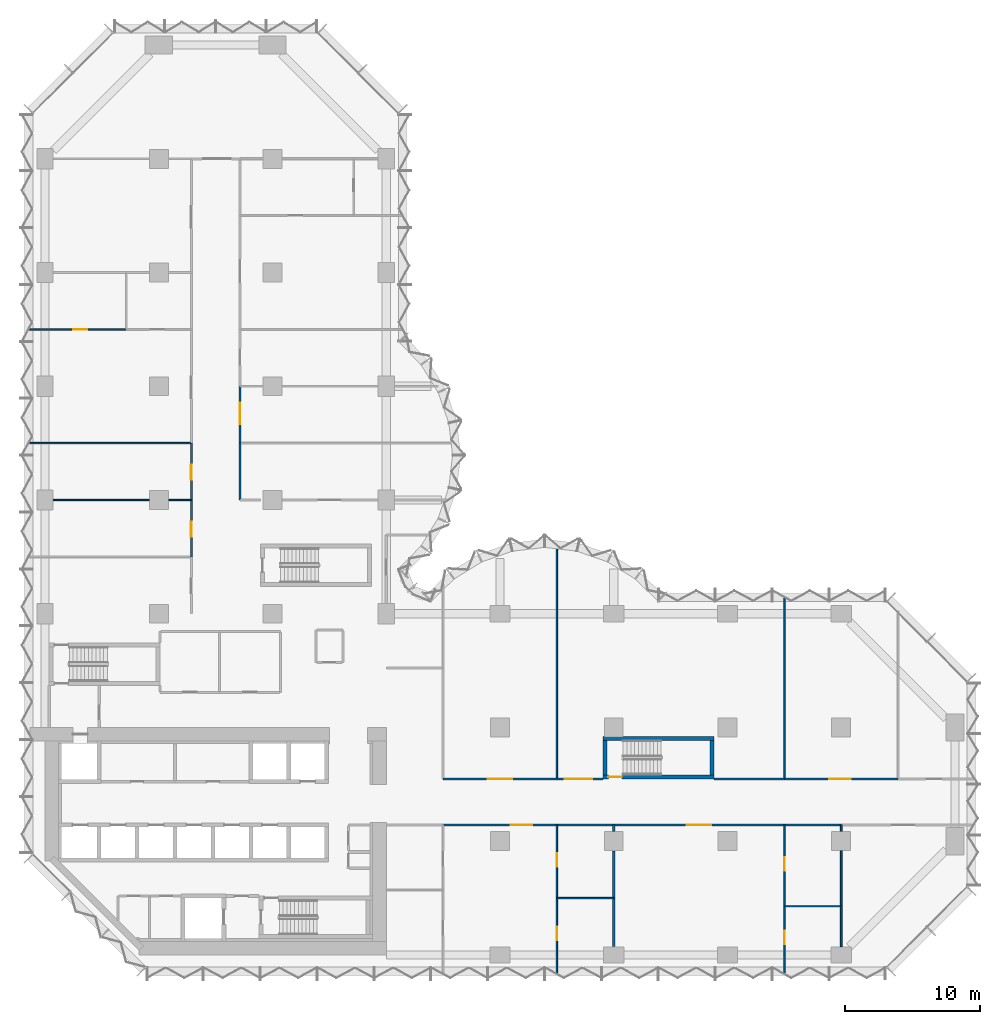
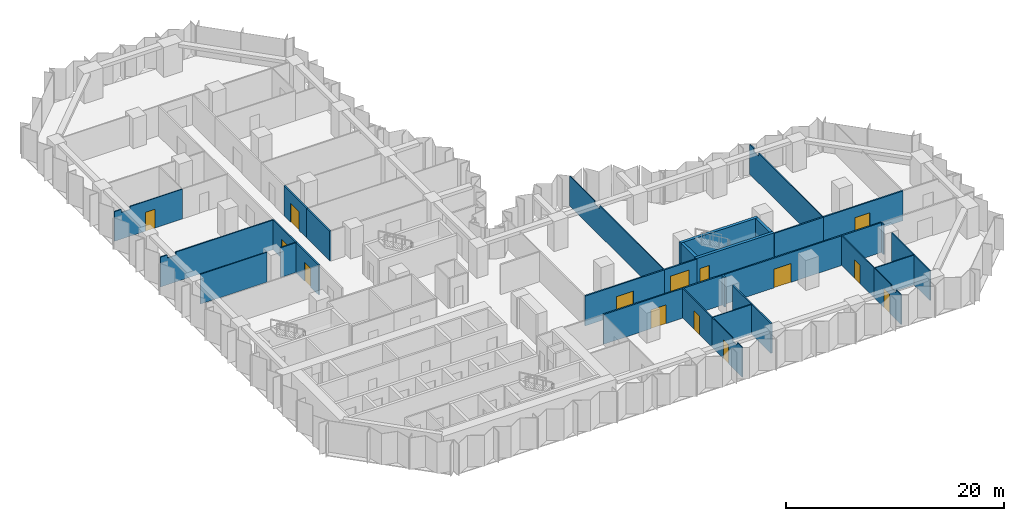
# One storey, part 10 of 15: 34 walls, 14 doors, 14 openings.
"""IFC4 building model written with IfcOpenShell, lengths in metres."""

from ifc_helpers import new_model, si_unit, direction, frame, frame_2d, origin, place, context, subcontext, project, spatial, polyline, rectangle, outline, extrude, material, layer, layer_set, type_object, element, fill, save


model = new_model("IFC4")

# Units and contexts
model_context = context("Model", 3, precision=1e-05, world=origin(), true_north=direction((0.0, 1.0)))
body_context = subcontext(model_context, "Body", "Model", "MODEL_VIEW")
ifc_project = project(units=[si_unit("LENGTHUNIT", "METRE"), si_unit("AREAUNIT", "SQUARE_METRE"), si_unit("VOLUMEUNIT", "CUBIC_METRE"), si_unit("PLANEANGLEUNIT", "RADIAN"), si_unit("MASSUNIT", "GRAM", prefix="KILO")], contexts=[model_context])

# Site, building, storey
site_placement = place(None, origin())
site = spatial("IfcSite", under=ifc_project, at=site_placement, CompositionType="ELEMENT")
building_placement = place(site_placement, origin())
building = spatial("IfcBuilding", under=site, at=building_placement, Name="Brevane Broadcast Tower", CompositionType="ELEMENT")
storey_placement = place(building_placement, frame((0.0, 0.0, 50.89990234375)))
storey = spatial("IfcBuildingStorey", under=building, at=storey_placement, Name="L10", CompositionType="ELEMENT", Elevation=50.89990234375)

# Wall, opening, door
ifc_material_1 = material(Name="Concrete C80/95", Category="concrete")
ifc_layer_1 = layer(ifc_material_1, 0.300048828125)
ifc_layer_set_1 = layer_set([ifc_layer_1], Name="Core wall 300 mm C80/95")
wall_type_1 = type_object("IfcWallType", Name="Core wall 300 mm C80/95", PredefinedType="SHEAR", material=ifc_layer_set_1)
wall_1_placement = place(storey_placement, frame((49.39990234375, 13.14990234375, 0.0), z_axis=(0.0, 0.0, 1.0), x_axis=(-1.0, 0.0, 0.0)))
wall_1 = element("IfcWall", 1, at=wall_1_placement, inside=storey, type_object=wall_type_1, Name="L10 stair wall ST-4-S", PredefinedType="SHEAR", context=body_context, shape_type="SweptSolid", body=[
    extrude(rectangle(XDim=8.199951171875, YDim=0.300048828125, at=frame_2d((4.10009765625, 0.0))), origin(), (0.0, 0.0, 1.0), 3.35009765625),
])
opening_1_placement = place(wall_1_placement, frame((6.800048828125, 0.0, 0.0)))
opening_1 = element("IfcOpeningElement", 2, at=opening_1_placement, cuts=wall_1, Name="Opening L10-K15", PredefinedType="OPENING", context=body_context, shape_type="SweptSolid", body=[
    extrude(rectangle(XDim=1.0, YDim=2.10009765625, at=frame_2d((0.5, 1.050048828125))), frame((0.0, 0.159912109375, 0.0), z_axis=(0.0, -1.0, 0.0), x_axis=(1.0, 0.0, 0.0)), (0.0, 0.0, 1.0), 0.320068359375),
])
ifc_material_2 = material(Name="Steel", Category="steel")
door_type_1 = type_object("IfcDoorType", Name="Stair door 1000 x 2100", OperationType="SINGLE_SWING_LEFT", PredefinedType="DOOR", material=ifc_material_2)
door_1_placement = place(opening_1_placement, origin())
door_1 = element("IfcDoor", 3, at=door_1_placement, inside=storey, type_object=door_type_1, Name="Door L10-K15", OperationType="SINGLE_SWING_LEFT", OverallHeight=2.10009765625, OverallWidth=1.0, PredefinedType="DOOR", context=body_context, shape_type="SweptSolid", body=[
    extrude(rectangle(XDim=1.0, YDim=2.10009765625, at=frame_2d((0.5, 1.050048828125))), frame((0.0, 0.02490234375, 0.0), z_axis=(0.0, -1.0, 0.0), x_axis=(1.0, 0.0, 0.0)), (0.0, 0.0, 1.0), 0.050048828125),
])
fill(opening_1, door_1)

# Walls
wall_2_placement = place(storey_placement, frame((41.199951171875, 16.0, 0.0), z_axis=(0.0, 0.0, 1.0), x_axis=(1.0, 0.0, 0.0)))
element("IfcWall", 4, at=wall_2_placement, inside=storey, type_object=wall_type_1, Name="L10 stair wall ST-4-N", PredefinedType="SHEAR", context=body_context, shape_type="SweptSolid", body=[
    extrude(rectangle(XDim=8.199951171875, YDim=0.300048828125, at=frame_2d((4.10009765625, 0.0))), origin(), (0.0, 0.0, 1.0), 3.35009765625),
])
for number, where, z_axis, x_axis, name in (
    (5, (41.35009765625, 13.300048828125, 0.0), (0.0, 0.0, 1.0), (0.0, 1.0, 0.0), "L10 stair wall ST-4-W"),
    (6, (49.25, 13.300048828125, 0.0), (0.0, 0.0, 1.0), (0.0, 1.0, 0.0), "L10 stair wall ST-4-E"),
):
    element("IfcWall", number, at=place(storey_placement, frame(where, z_axis=z_axis, x_axis=x_axis)), inside=storey, type_object=wall_type_1, Name=name, PredefinedType="SHEAR", context=body_context, shape_type="SweptSolid", body=[
        extrude(rectangle(XDim=2.550048828125, YDim=0.300048828125, at=frame_2d((1.27490234375, 0.0))), origin(), (0.0, 0.0, 1.0), 3.35009765625),
    ])

# Wall, opening, door
ifc_material_3 = material(Name="Gypsum board partition")
ifc_layer_2 = layer(ifc_material_3, 0.10009765625)
ifc_layer_set_2 = layer_set([ifc_layer_2], Name="PARTITION 100 STUD")
wall_type_2 = type_object("IfcWallType", Name="PARTITION 100 STUD", PredefinedType="PARTITIONING", material=ifc_layer_set_2)
wall_3_placement = place(storey_placement, frame((37.800048828125, 4.199951171875, 0.0), z_axis=(0.0, 0.0, 1.0), x_axis=(0.0, -1.0, 0.0)))
wall_3 = element("IfcWall", 7, at=wall_3_placement, inside=storey, type_object=wall_type_2, Name="Partition G02-017", PredefinedType="PARTITIONING", context=body_context, shape_type="SweptSolid", body=[
    extrude(outline(polyline([(0.0, 0.0), (5.56494140625, 0.0), (5.56494140625, 3.330078125), (5.300048828125, 3.330078125), (4.64990234375, 3.330078125), (4.64794921875, 2.97998046875), (3.751953125, 2.97998046875), (3.75, 3.330078125), (0.0, 3.330078125), (0.0, 0.0)])), frame((0.0, 0.050048828125, 0.0), z_axis=(0.0, -1.0, 0.0), x_axis=(1.0, 0.0, 0.0)), (0.0, 0.0, 1.0), 0.10009765625),
])
opening_2_placement = place(wall_3_placement, frame((2.10009765625, 0.0, 0.0)))
opening_2 = element("IfcOpeningElement", 8, at=opening_2_placement, cuts=wall_3, Name="Opening D08-003", PredefinedType="OPENING", context=body_context, shape_type="SweptSolid", body=[
    extrude(rectangle(XDim=1.0, YDim=2.10009765625, at=frame_2d((0.5, 1.050048828125))), frame((0.0, 0.06005859375, 0.0), z_axis=(0.0, -1.0, 0.0), x_axis=(1.0, 0.0, 0.0)), (0.0, 0.0, 1.0), 0.1201171875),
])
ifc_material_4 = material(Name="Timber door leaf", Category="wood")
door_type_2 = type_object("IfcDoorType", Name="DOOR SINGLE 1000 INTERNAL", OperationType="SINGLE_SWING_LEFT", PredefinedType="DOOR", material=ifc_material_4)
door_2_placement = place(opening_2_placement, origin())
door_2 = element("IfcDoor", 9, at=door_2_placement, inside=storey, type_object=door_type_2, Name="Door D08-003", OperationType="SINGLE_SWING_LEFT", OverallHeight=2.10009765625, OverallWidth=1.0, PredefinedType="DOOR", context=body_context, shape_type="SweptSolid", body=[
    extrude(rectangle(XDim=1.0, YDim=2.10009765625, at=frame_2d((0.5, 1.050048828125))), frame((0.0, 0.02490234375, 0.0), z_axis=(0.0, -1.0, 0.0), x_axis=(1.0, 0.0, 0.0)), (0.0, 0.0, 1.0), 0.050048828125),
])
fill(opening_2, door_2)

wall_4_placement = place(storey_placement, frame((37.800048828125, 9.60009765625, 0.0), z_axis=(0.0, 0.0, 1.0), x_axis=(0.0, -1.0, 0.0)))
wall_4 = element("IfcWall", 10, at=wall_4_placement, inside=storey, type_object=wall_type_2, Name="Partition G02-018", PredefinedType="PARTITIONING", context=body_context, shape_type="SweptSolid", body=[
    extrude(rectangle(XDim=5.400146484375, YDim=0.10009765625, at=frame_2d((2.7001953125, 0.0))), origin(), (0.0, 0.0, 1.0), 3.330078125),
])
opening_3_placement = place(wall_4_placement, frame((2.10009765625, 0.0, 0.0)))
opening_3 = element("IfcOpeningElement", 11, at=opening_3_placement, cuts=wall_4, Name="Opening D08-004", PredefinedType="OPENING", context=body_context, shape_type="SweptSolid", body=[
    extrude(rectangle(XDim=1.0, YDim=2.10009765625, at=frame_2d((0.5, 1.050048828125))), frame((0.0, 0.06005859375, 0.0), z_axis=(0.0, -1.0, 0.0), x_axis=(1.0, 0.0, 0.0)), (0.0, 0.0, 1.0), 0.1201171875),
])
door_3_placement = place(opening_3_placement, origin())
door_3 = element("IfcDoor", 12, at=door_3_placement, inside=storey, type_object=door_type_2, Name="Door D08-004", OperationType="SINGLE_SWING_LEFT", OverallHeight=2.10009765625, OverallWidth=1.0, PredefinedType="DOOR", context=body_context, shape_type="SweptSolid", body=[
    extrude(rectangle(XDim=1.0, YDim=2.10009765625, at=frame_2d((0.5, 1.050048828125))), frame((0.0, 0.02490234375, 0.0), z_axis=(0.0, -1.0, 0.0), x_axis=(1.0, 0.0, 0.0)), (0.0, 0.0, 1.0), 0.050048828125),
])
fill(opening_3, door_3)

# Wall
wall_5_placement = place(storey_placement, frame((37.800048828125, 4.199951171875, 0.0), z_axis=(0.0, 0.0, 1.0), x_axis=(1.0, 0.0, 0.0)))
element("IfcWall", 13, at=wall_5_placement, inside=storey, type_object=wall_type_2, Name="Partition G02-021", PredefinedType="PARTITIONING", context=body_context, shape_type="SweptSolid", body=[
    extrude(rectangle(XDim=4.199951171875, YDim=0.10009765625, at=frame_2d((2.10009765625, 0.0))), origin(), (0.0, 0.0, 1.0), 3.330078125),
])

# Wall, opening, door
wall_6_placement = place(storey_placement, frame((54.60009765625, 3.60009765625, 0.0), z_axis=(0.0, 0.0, 1.0), x_axis=(0.0, -1.0, 0.0)))
wall_6 = element("IfcWall", 14, at=wall_6_placement, inside=storey, type_object=wall_type_2, Name="Partition G02-026", PredefinedType="PARTITIONING", context=body_context, shape_type="SweptSolid", body=[
    extrude(outline(polyline([(0.0, 0.0), (4.965087890625, 0.0), (4.965087890625, 3.330078125), (4.699951171875, 3.330078125), (4.050048828125, 3.330078125), (4.048095703125, 2.97998046875), (3.152099609375, 2.97998046875), (3.14990234375, 3.330078125), (0.0, 3.330078125), (0.0, 0.0)])), frame((0.0, 0.050048828125, 0.0), z_axis=(0.0, -1.0, 0.0), x_axis=(1.0, 0.0, 0.0)), (0.0, 0.0, 1.0), 0.10009765625),
])
opening_4_placement = place(wall_6_placement, frame((1.800048828125, 0.0, 0.0)))
opening_4 = element("IfcOpeningElement", 15, at=opening_4_placement, cuts=wall_6, Name="Opening D08-008", PredefinedType="OPENING", context=body_context, shape_type="SweptSolid", body=[
    extrude(rectangle(XDim=1.0, YDim=2.10009765625, at=frame_2d((0.5, 1.050048828125))), frame((0.0, 0.06005859375, 0.0), z_axis=(0.0, -1.0, 0.0), x_axis=(1.0, 0.0, 0.0)), (0.0, 0.0, 1.0), 0.1201171875),
])
door_4_placement = place(opening_4_placement, origin())
door_4 = element("IfcDoor", 16, at=door_4_placement, inside=storey, type_object=door_type_2, Name="Door D08-008", OperationType="SINGLE_SWING_LEFT", OverallHeight=2.10009765625, OverallWidth=1.0, PredefinedType="DOOR", context=body_context, shape_type="SweptSolid", body=[
    extrude(rectangle(XDim=1.0, YDim=2.10009765625, at=frame_2d((0.5, 1.050048828125))), frame((0.0, 0.02490234375, 0.0), z_axis=(0.0, -1.0, 0.0), x_axis=(1.0, 0.0, 0.0)), (0.0, 0.0, 1.0), 0.050048828125),
])
fill(opening_4, door_4)

wall_7_placement = place(storey_placement, frame((54.60009765625, 9.60009765625, 0.0), z_axis=(0.0, 0.0, 1.0), x_axis=(0.0, -1.0, 0.0)))
wall_7 = element("IfcWall", 17, at=wall_7_placement, inside=storey, type_object=wall_type_2, Name="Partition G02-027", PredefinedType="PARTITIONING", context=body_context, shape_type="SweptSolid", body=[
    extrude(rectangle(XDim=6.0, YDim=0.10009765625, at=frame_2d((3.0, 0.0))), origin(), (0.0, 0.0, 1.0), 3.330078125),
])
opening_5_placement = place(wall_7_placement, frame((2.39990234375, 0.0, 0.0)))
opening_5 = element("IfcOpeningElement", 18, at=opening_5_placement, cuts=wall_7, Name="Opening D08-009", PredefinedType="OPENING", context=body_context, shape_type="SweptSolid", body=[
    extrude(rectangle(XDim=1.0, YDim=2.10009765625, at=frame_2d((0.5, 1.050048828125))), frame((0.0, 0.06005859375, 0.0), z_axis=(0.0, -1.0, 0.0), x_axis=(1.0, 0.0, 0.0)), (0.0, 0.0, 1.0), 0.1201171875),
])
door_5_placement = place(opening_5_placement, origin())
door_5 = element("IfcDoor", 19, at=door_5_placement, inside=storey, type_object=door_type_2, Name="Door D08-009", OperationType="SINGLE_SWING_LEFT", OverallHeight=2.10009765625, OverallWidth=1.0, PredefinedType="DOOR", context=body_context, shape_type="SweptSolid", body=[
    extrude(rectangle(XDim=1.0, YDim=2.10009765625, at=frame_2d((0.5, 1.050048828125))), frame((0.0, 0.02490234375, 0.0), z_axis=(0.0, -1.0, 0.0), x_axis=(1.0, 0.0, 0.0)), (0.0, 0.0, 1.0), 0.050048828125),
])
fill(opening_5, door_5)

# Walls
wall_8_placement = place(storey_placement, frame((54.60009765625, 3.60009765625, 0.0), z_axis=(0.0, 0.0, 1.0), x_axis=(1.0, 0.0, 0.0)))
element("IfcWall", 20, at=wall_8_placement, inside=storey, type_object=wall_type_2, Name="Partition G02-028", PredefinedType="PARTITIONING", context=body_context, shape_type="SweptSolid", body=[
    extrude(rectangle(XDim=4.199951171875, YDim=0.10009765625, at=frame_2d((2.10009765625, 0.0))), origin(), (0.0, 0.0, 1.0), 3.330078125),
])
wall_9_placement = place(storey_placement, frame((37.800048828125, 30.24267578125, 0.0), z_axis=(0.0, 0.0, 1.0), x_axis=(0.0, -1.0, 0.0)))
element("IfcWall", 21, at=wall_9_placement, inside=storey, type_object=wall_type_2, Name="Partition G02-032", PredefinedType="PARTITIONING", context=body_context, shape_type="SweptSolid", body=[
    extrude(outline(polyline([(0.0, 0.0), (17.24267578125, 0.0), (17.24267578125, 3.330078125), (5.49267578125, 3.330078125), (5.49072265625, 2.97998046875), (4.5947265625, 2.97998046875), (4.5927734375, 3.330078125), (0.0, 3.330078125), (0.0, 0.0)])), frame((0.0, 0.050048828125, 0.0), z_axis=(0.0, -1.0, 0.0), x_axis=(1.0, 0.0, 0.0)), (0.0, 0.0, 1.0), 0.10009765625),
])
wall_10_placement = place(storey_placement, frame((54.60009765625, 26.3740234375, 0.0), z_axis=(0.0, 0.0, 1.0), x_axis=(0.0, -1.0, 0.0)))
element("IfcWall", 22, at=wall_10_placement, inside=storey, type_object=wall_type_2, Name="Partition G02-033", PredefinedType="PARTITIONING", context=body_context, shape_type="SweptSolid", body=[
    extrude(outline(polyline([(0.0, 0.0), (13.3740234375, 0.0), (13.3740234375, 3.330078125), (1.6240234375, 3.330078125), (1.6220703125, 2.97998046875), (0.72607421875, 2.97998046875), (0.72412109375, 3.330078125), (0.073974609375, 3.330078125), (0.0, 3.330078125), (0.0, 0.0)])), frame((0.0, 0.050048828125, 0.0), z_axis=(0.0, -1.0, 0.0), x_axis=(1.0, 0.0, 0.0)), (0.0, 0.0, 1.0), 0.10009765625),
])
wall_11_placement = place(storey_placement, frame((0.6201171875, 33.60009765625, 0.0), z_axis=(0.0, 0.0, 1.0), x_axis=(1.0, 0.0, 0.0)))
element("IfcWall", 23, at=wall_11_placement, inside=storey, type_object=wall_type_2, Name="Partition G02-056", PredefinedType="PARTITIONING", context=body_context, shape_type="SweptSolid", body=[
    extrude(rectangle(XDim=7.059814453125, YDim=0.10009765625, at=frame_2d((3.52978515625, 0.0))), origin(), (0.0, 0.0, 1.0), 3.330078125),
])
wall_12_placement = place(storey_placement, frame((9.1201171875, 33.60009765625, 0.0), z_axis=(0.0, 0.0, 1.0), x_axis=(1.0, 0.0, 0.0)))
element("IfcWall", 24, at=wall_12_placement, inside=storey, type_object=wall_type_2, Name="Partition G02-057", PredefinedType="PARTITIONING", context=body_context, shape_type="SweptSolid", body=[
    extrude(rectangle(XDim=1.679931640625, YDim=0.10009765625, at=frame_2d((0.83984375, 0.0))), origin(), (0.0, 0.0, 1.0), 3.330078125),
])

# Wall, opening, door
wall_13_placement = place(storey_placement, frame((-1.174072265625, 46.199951171875, 0.0), z_axis=(0.0, 0.0, 1.0), x_axis=(1.0, 0.0, 0.0)))
wall_13 = element("IfcWall", 25, at=wall_13_placement, inside=storey, type_object=wall_type_2, Name="Partition G02-059", PredefinedType="PARTITIONING", context=body_context, shape_type="SweptSolid", body=[
    extrude(outline(polyline([(0.0, 0.0), (7.174072265625, 0.0), (7.174072265625, 3.330078125), (1.6240234375, 3.330078125), (1.6220703125, 2.97998046875), (0.72607421875, 2.97998046875), (0.72412109375, 3.330078125), (0.073974609375, 3.330078125), (0.0, 3.330078125), (0.0, 0.0)])), frame((0.0, 0.050048828125, 0.0), z_axis=(0.0, -1.0, 0.0), x_axis=(1.0, 0.0, 0.0)), (0.0, 0.0, 1.0), 0.10009765625),
])
opening_6_placement = place(wall_13_placement, frame((3.27392578125, 0.0, 0.0)))
opening_6 = element("IfcOpeningElement", 26, at=opening_6_placement, cuts=wall_13, Name="Opening D08-020", PredefinedType="OPENING", context=body_context, shape_type="SweptSolid", body=[
    extrude(rectangle(XDim=1.0, YDim=2.10009765625, at=frame_2d((0.5, 1.050048828125))), frame((0.0, 0.06005859375, 0.0), z_axis=(0.0, -1.0, 0.0), x_axis=(1.0, 0.0, 0.0)), (0.0, 0.0, 1.0), 0.1201171875),
])
door_6_placement = place(opening_6_placement, origin())
door_6 = element("IfcDoor", 27, at=door_6_placement, inside=storey, type_object=door_type_2, Name="Door D08-020", OperationType="SINGLE_SWING_LEFT", OverallHeight=2.10009765625, OverallWidth=1.0, PredefinedType="DOOR", context=body_context, shape_type="SweptSolid", body=[
    extrude(rectangle(XDim=1.0, YDim=2.10009765625, at=frame_2d((0.5, 1.050048828125))), frame((0.0, 0.02490234375, 0.0), z_axis=(0.0, -1.0, 0.0), x_axis=(1.0, 0.0, 0.0)), (0.0, 0.0, 1.0), 0.050048828125),
])
fill(opening_6, door_6)

# Walls
ifc_layer_3 = layer(ifc_material_3, 0.125)
ifc_layer_set_3 = layer_set([ifc_layer_3], Name="PARTITION 125 ACOUSTIC")
wall_type_3 = type_object("IfcWallType", Name="PARTITION 125 ACOUSTIC", PredefinedType="PARTITIONING", material=ifc_layer_set_3)
wall_14_placement = place(storey_placement, frame((58.800048828125, 3.60009765625, 0.0), z_axis=(0.0, 0.0, 1.0), x_axis=(0.0, -1.0, 0.0)))
element("IfcWall", 28, at=wall_14_placement, inside=storey, type_object=wall_type_3, Name="Partition G02-029", PredefinedType="PARTITIONING", context=body_context, shape_type="SweptSolid", body=[
    extrude(rectangle(XDim=2.97998046875, YDim=0.125, at=frame_2d((1.489990234375, 0.0))), origin(), (0.0, 0.0, 1.0), 3.330078125),
])
wall_15_placement = place(storey_placement, frame((58.800048828125, 9.60009765625, 0.0), z_axis=(0.0, 0.0, 1.0), x_axis=(0.0, -1.0, 0.0)))
element("IfcWall", 29, at=wall_15_placement, inside=storey, type_object=wall_type_3, Name="Partition G02-030", PredefinedType="PARTITIONING", context=body_context, shape_type="SweptSolid", body=[
    extrude(rectangle(XDim=0.47998046875, YDim=0.125, at=frame_2d((0.239990234375, 0.0))), origin(), (0.0, 0.0, 1.0), 3.330078125),
])
wall_16_placement = place(storey_placement, frame((58.800048828125, 7.679931640625, 0.0), z_axis=(0.0, 0.0, 1.0), x_axis=(0.0, -1.0, 0.0)))
element("IfcWall", 30, at=wall_16_placement, inside=storey, type_object=wall_type_3, Name="Partition G02-031", PredefinedType="PARTITIONING", context=body_context, shape_type="SweptSolid", body=[
    extrude(rectangle(XDim=4.079833984375, YDim=0.125, at=frame_2d((2.0400390625, 0.0))), origin(), (0.0, 0.0, 1.0), 3.330078125),
])
wall_17_placement = place(storey_placement, frame((-1.174072265625, 37.800048828125, 0.0), z_axis=(0.0, 0.0, 1.0), x_axis=(1.0, 0.0, 0.0)))
element("IfcWall", 31, at=wall_17_placement, inside=storey, type_object=wall_type_3, Name="Partition G02-058", PredefinedType="PARTITIONING", context=body_context, shape_type="SweptSolid", body=[
    extrude(outline(polyline([(0.0, 0.0), (11.97412109375, 0.0), (11.97412109375, 3.330078125), (1.6240234375, 3.330078125), (1.6220703125, 2.97998046875), (0.72607421875, 2.97998046875), (0.72412109375, 3.330078125), (0.073974609375, 3.330078125), (0.0, 3.330078125), (0.0, 0.0)])), frame((0.0, 0.0625, 0.0), z_axis=(0.0, -1.0, 0.0), x_axis=(1.0, 0.0, 0.0)), (0.0, 0.0, 1.0), 0.125),
])

# Wall, opening, door
ifc_layer_4 = layer(ifc_material_3, 0.14990234375)
ifc_layer_set_4 = layer_set([ifc_layer_4], Name="PARTITION 150 EI 60")
wall_type_4 = type_object("IfcWallType", Name="PARTITION 150 EI 60", PredefinedType="PARTITIONING", material=ifc_layer_set_4)
wall_18_placement = place(storey_placement, frame((37.800048828125, 9.60009765625, 0.0), z_axis=(0.0, 0.0, 1.0), x_axis=(-1.0, 0.0, 0.0)))
wall_18 = element("IfcWall", 32, at=wall_18_placement, inside=storey, type_object=wall_type_4, Name="Partition G02-007", PredefinedType="PARTITIONING", context=body_context, shape_type="SweptSolid", body=[
    extrude(rectangle(XDim=8.400146484375, YDim=0.14990234375, at=frame_2d((4.2001953125, 0.0))), origin(), (0.0, 0.0, 1.0), 3.330078125),
])
opening_7_placement = place(wall_18_placement, frame((1.800048828125, 0.0, 0.0)))
opening_7 = element("IfcOpeningElement", 33, at=opening_7_placement, cuts=wall_18, Name="Opening D08-002", PredefinedType="OPENING", context=body_context, shape_type="SweptSolid", body=[
    extrude(rectangle(XDim=1.60009765625, YDim=2.10009765625, at=frame_2d((0.800048828125, 1.050048828125))), frame((0.0, 0.0849609375, 0.0), z_axis=(0.0, -1.0, 0.0), x_axis=(1.0, 0.0, 0.0)), (0.0, 0.0, 1.0), 0.169921875),
])
ifc_material_5 = material(Name="Fire-rated timber door leaf", Category="wood")
door_type_3 = type_object("IfcDoorType", Name="DOOR DOUBLE 1600 FD30S", OperationType="DOUBLE_DOOR_SINGLE_SWING", PredefinedType="DOOR", material=ifc_material_5)
door_7_placement = place(opening_7_placement, origin())
door_7 = element("IfcDoor", 34, at=door_7_placement, inside=storey, type_object=door_type_3, Name="Door D08-002", OperationType="DOUBLE_DOOR_SINGLE_SWING", OverallHeight=2.10009765625, OverallWidth=1.60009765625, PredefinedType="DOOR", context=body_context, shape_type="SweptSolid", body=[
    extrude(rectangle(XDim=1.60009765625, YDim=2.10009765625, at=frame_2d((0.800048828125, 1.050048828125))), frame((0.0, 0.02490234375, 0.0), z_axis=(0.0, -1.0, 0.0), x_axis=(1.0, 0.0, 0.0)), (0.0, 0.0, 1.0), 0.050048828125),
])
fill(opening_7, door_7)

# Wall
wall_19_placement = place(storey_placement, frame((42.0, 9.60009765625, 0.0), z_axis=(0.0, 0.0, 1.0), x_axis=(-1.0, 0.0, 0.0)))
element("IfcWall", 35, at=wall_19_placement, inside=storey, type_object=wall_type_4, Name="Partition G02-008", PredefinedType="PARTITIONING", context=body_context, shape_type="SweptSolid", body=[
    extrude(rectangle(XDim=4.199951171875, YDim=0.14990234375, at=frame_2d((2.10009765625, 0.0))), origin(), (0.0, 0.0, 1.0), 3.330078125),
])

# Wall, opening, door
wall_20_placement = place(storey_placement, frame((54.60009765625, 9.60009765625, 0.0), z_axis=(0.0, 0.0, 1.0), x_axis=(-1.0, 0.0, 0.0)))
wall_20 = element("IfcWall", 36, at=wall_20_placement, inside=storey, type_object=wall_type_4, Name="Partition G02-009", PredefinedType="PARTITIONING", context=body_context, shape_type="SweptSolid", body=[
    extrude(rectangle(XDim=12.60009765625, YDim=0.14990234375, at=frame_2d((6.300048828125, 0.0))), origin(), (0.0, 0.0, 1.0), 3.330078125),
])
opening_8_placement = place(wall_20_placement, frame((5.39990234375, 0.0, 0.0)))
opening_8 = element("IfcOpeningElement", 37, at=opening_8_placement, cuts=wall_20, Name="Opening D08-007", PredefinedType="OPENING", context=body_context, shape_type="SweptSolid", body=[
    extrude(rectangle(XDim=1.800048828125, YDim=2.10009765625, at=frame_2d((0.89990234375, 1.050048828125))), frame((0.0, 0.0849609375, 0.0), z_axis=(0.0, -1.0, 0.0), x_axis=(1.0, 0.0, 0.0)), (0.0, 0.0, 1.0), 0.169921875),
])
door_type_4 = type_object("IfcDoorType", Name="DOOR DOUBLE 1800 FD30S", OperationType="DOUBLE_DOOR_SINGLE_SWING", PredefinedType="DOOR", material=ifc_material_5)
door_8_placement = place(opening_8_placement, origin())
door_8 = element("IfcDoor", 38, at=door_8_placement, inside=storey, type_object=door_type_4, Name="Door D08-007", OperationType="DOUBLE_DOOR_SINGLE_SWING", OverallHeight=2.10009765625, OverallWidth=1.800048828125, PredefinedType="DOOR", context=body_context, shape_type="SweptSolid", body=[
    extrude(rectangle(XDim=1.800048828125, YDim=2.10009765625, at=frame_2d((0.89990234375, 1.050048828125))), frame((0.0, 0.02490234375, 0.0), z_axis=(0.0, -1.0, 0.0), x_axis=(1.0, 0.0, 0.0)), (0.0, 0.0, 1.0), 0.050048828125),
])
fill(opening_8, door_8)

# Wall
wall_21_placement = place(storey_placement, frame((58.800048828125, 9.60009765625, 0.0), z_axis=(0.0, 0.0, 1.0), x_axis=(-1.0, 0.0, 0.0)))
element("IfcWall", 39, at=wall_21_placement, inside=storey, type_object=wall_type_4, Name="Partition G02-010", PredefinedType="PARTITIONING", context=body_context, shape_type="SweptSolid", body=[
    extrude(rectangle(XDim=4.199951171875, YDim=0.14990234375, at=frame_2d((2.10009765625, 0.0))), origin(), (0.0, 0.0, 1.0), 3.330078125),
])

# Wall, opening, door
wall_22_placement = place(storey_placement, frame((29.39990234375, 13.0, 0.0), z_axis=(0.0, 0.0, 1.0), x_axis=(1.0, 0.0, 0.0)))
wall_22 = element("IfcWall", 40, at=wall_22_placement, inside=storey, type_object=wall_type_4, Name="Partition G02-012", PredefinedType="PARTITIONING", context=body_context, shape_type="SweptSolid", body=[
    extrude(rectangle(XDim=8.400146484375, YDim=0.14990234375, at=frame_2d((4.2001953125, 0.0))), origin(), (0.0, 0.0, 1.0), 3.330078125),
])
opening_9_placement = place(wall_22_placement, frame((3.300048828125, 0.0, 0.0)))
opening_9 = element("IfcOpeningElement", 41, at=opening_9_placement, cuts=wall_22, Name="Opening D08-011", PredefinedType="OPENING", context=body_context, shape_type="SweptSolid", body=[
    extrude(rectangle(XDim=1.800048828125, YDim=2.10009765625, at=frame_2d((0.89990234375, 1.050048828125))), frame((0.0, 0.0849609375, 0.0), z_axis=(0.0, -1.0, 0.0), x_axis=(1.0, 0.0, 0.0)), (0.0, 0.0, 1.0), 0.169921875),
])
door_9_placement = place(opening_9_placement, origin())
door_9 = element("IfcDoor", 42, at=door_9_placement, inside=storey, type_object=door_type_4, Name="Door D08-011", OperationType="DOUBLE_DOOR_SINGLE_SWING", OverallHeight=2.10009765625, OverallWidth=1.800048828125, PredefinedType="DOOR", context=body_context, shape_type="SweptSolid", body=[
    extrude(rectangle(XDim=1.800048828125, YDim=2.10009765625, at=frame_2d((0.89990234375, 1.050048828125))), frame((0.0, 0.02490234375, 0.0), z_axis=(0.0, -1.0, 0.0), x_axis=(1.0, 0.0, 0.0)), (0.0, 0.0, 1.0), 0.050048828125),
])
fill(opening_9, door_9)

wall_23_placement = place(storey_placement, frame((37.800048828125, 13.0, 0.0), z_axis=(0.0, 0.0, 1.0), x_axis=(1.0, 0.0, 0.0)))
wall_23 = element("IfcWall", 43, at=wall_23_placement, inside=storey, type_object=wall_type_4, Name="Partition G02-013", PredefinedType="PARTITIONING", context=body_context, shape_type="SweptSolid", body=[
    extrude(rectangle(XDim=3.39990234375, YDim=0.14990234375, at=frame_2d((1.699951171875, 0.0))), origin(), (0.0, 0.0, 1.0), 3.330078125),
])
opening_10_placement = place(wall_23_placement, frame((0.60009765625, 0.0, 0.0)))
opening_10 = element("IfcOpeningElement", 44, at=opening_10_placement, cuts=wall_23, Name="Opening D08-012", PredefinedType="OPENING", context=body_context, shape_type="SweptSolid", body=[
    extrude(rectangle(XDim=2.0, YDim=2.39990234375, at=frame_2d((1.0, 1.199951171875))), frame((0.0, 0.0849609375, 0.0), z_axis=(0.0, -1.0, 0.0), x_axis=(1.0, 0.0, 0.0)), (0.0, 0.0, 1.0), 0.169921875),
])
door_type_5 = type_object("IfcDoorType", Name="DOOR DOUBLE 2000 FD30S", OperationType="DOUBLE_DOOR_SINGLE_SWING", PredefinedType="DOOR", material=ifc_material_5)
door_10_placement = place(opening_10_placement, origin())
door_10 = element("IfcDoor", 45, at=door_10_placement, inside=storey, type_object=door_type_5, Name="Door D08-012", OperationType="DOUBLE_DOOR_SINGLE_SWING", OverallHeight=2.39990234375, OverallWidth=2.0, PredefinedType="DOOR", context=body_context, shape_type="SweptSolid", body=[
    extrude(rectangle(XDim=2.0, YDim=2.39990234375, at=frame_2d((1.0, 1.199951171875))), frame((0.0, 0.02490234375, 0.0), z_axis=(0.0, -1.0, 0.0), x_axis=(1.0, 0.0, 0.0)), (0.0, 0.0, 1.0), 0.050048828125),
])
fill(opening_10, door_10)

# Wall
wall_24_placement = place(storey_placement, frame((49.39990234375, 13.0, 0.0), z_axis=(0.0, 0.0, 1.0), x_axis=(1.0, 0.0, 0.0)))
element("IfcWall", 46, at=wall_24_placement, inside=storey, type_object=wall_type_4, Name="Partition G02-014", PredefinedType="PARTITIONING", context=body_context, shape_type="SweptSolid", body=[
    extrude(rectangle(XDim=5.2001953125, YDim=0.14990234375, at=frame_2d((2.60009765625, 0.0))), origin(), (0.0, 0.0, 1.0), 3.330078125),
])

# Wall, opening, door
wall_25_placement = place(storey_placement, frame((54.60009765625, 13.0, 0.0), z_axis=(0.0, 0.0, 1.0), x_axis=(1.0, 0.0, 0.0)))
wall_25 = element("IfcWall", 47, at=wall_25_placement, inside=storey, type_object=wall_type_4, Name="Partition G02-015", PredefinedType="PARTITIONING", context=body_context, shape_type="SweptSolid", body=[
    extrude(rectangle(XDim=8.39990234375, YDim=0.14990234375, at=frame_2d((4.199951171875, 0.0))), origin(), (0.0, 0.0, 1.0), 3.330078125),
])
opening_11_placement = place(wall_25_placement, frame((3.300048828125, 0.0, 0.0)))
opening_11 = element("IfcOpeningElement", 48, at=opening_11_placement, cuts=wall_25, Name="Opening D08-013", PredefinedType="OPENING", context=body_context, shape_type="SweptSolid", body=[
    extrude(rectangle(XDim=1.60009765625, YDim=2.10009765625, at=frame_2d((0.800048828125, 1.050048828125))), frame((0.0, 0.0849609375, 0.0), z_axis=(0.0, -1.0, 0.0), x_axis=(1.0, 0.0, 0.0)), (0.0, 0.0, 1.0), 0.169921875),
])
door_11_placement = place(opening_11_placement, origin())
door_11 = element("IfcDoor", 49, at=door_11_placement, inside=storey, type_object=door_type_3, Name="Door D08-013", OperationType="DOUBLE_DOOR_SINGLE_SWING", OverallHeight=2.10009765625, OverallWidth=1.60009765625, PredefinedType="DOOR", context=body_context, shape_type="SweptSolid", body=[
    extrude(rectangle(XDim=1.60009765625, YDim=2.10009765625, at=frame_2d((0.800048828125, 1.050048828125))), frame((0.0, 0.02490234375, 0.0), z_axis=(0.0, -1.0, 0.0), x_axis=(1.0, 0.0, 0.0)), (0.0, 0.0, 1.0), 0.050048828125),
])
fill(opening_11, door_11)

# Walls
wall_26_placement = place(storey_placement, frame((42.0, 4.199951171875, 0.0), z_axis=(0.0, 0.0, 1.0), x_axis=(0.0, -1.0, 0.0)))
element("IfcWall", 50, at=wall_26_placement, inside=storey, type_object=wall_type_4, Name="Partition G02-022", PredefinedType="PARTITIONING", context=body_context, shape_type="SweptSolid", body=[
    extrude(rectangle(XDim=3.579833984375, YDim=0.14990234375, at=frame_2d((1.7900390625, 0.0))), origin(), (0.0, 0.0, 1.0), 3.330078125),
])
wall_27_placement = place(storey_placement, frame((42.0, 9.60009765625, 0.0), z_axis=(0.0, 0.0, 1.0), x_axis=(0.0, -1.0, 0.0)))
element("IfcWall", 51, at=wall_27_placement, inside=storey, type_object=wall_type_4, Name="Partition G02-023", PredefinedType="PARTITIONING", context=body_context, shape_type="SweptSolid", body=[
    extrude(rectangle(XDim=0.47998046875, YDim=0.14990234375, at=frame_2d((0.239990234375, 0.0))), origin(), (0.0, 0.0, 1.0), 3.330078125),
])
wall_28_placement = place(storey_placement, frame((42.0, 7.679931640625, 0.0), z_axis=(0.0, 0.0, 1.0), x_axis=(0.0, -1.0, 0.0)))
element("IfcWall", 52, at=wall_28_placement, inside=storey, type_object=wall_type_4, Name="Partition G02-024", PredefinedType="PARTITIONING", context=body_context, shape_type="SweptSolid", body=[
    extrude(rectangle(XDim=3.47998046875, YDim=0.14990234375, at=frame_2d((1.739990234375, 0.0))), origin(), (0.0, 0.0, 1.0), 3.330078125),
])

# Wall, opening, door
wall_29_placement = place(storey_placement, frame((10.800048828125, 29.39990234375, 0.0), z_axis=(0.0, 0.0, 1.0), x_axis=(0.0, 1.0, 0.0)))
wall_29 = element("IfcWall", 53, at=wall_29_placement, inside=storey, type_object=wall_type_4, Name="Partition G02-036", PredefinedType="PARTITIONING", context=body_context, shape_type="SweptSolid", body=[
    extrude(rectangle(XDim=4.2001953125, YDim=0.14990234375, at=frame_2d((2.10009765625, 0.0))), origin(), (0.0, 0.0, 1.0), 3.330078125),
])
opening_12_placement = place(wall_29_placement, frame((1.5, 0.0, 0.0)))
opening_12 = element("IfcOpeningElement", 54, at=opening_12_placement, cuts=wall_29, Name="Opening D08-017", PredefinedType="OPENING", context=body_context, shape_type="SweptSolid", body=[
    extrude(rectangle(XDim=1.10009765625, YDim=2.10009765625, at=frame_2d((0.550048828125, 1.050048828125))), frame((0.0, 0.0849609375, 0.0), z_axis=(0.0, -1.0, 0.0), x_axis=(1.0, 0.0, 0.0)), (0.0, 0.0, 1.0), 0.169921875),
])
door_type_6 = type_object("IfcDoorType", Name="DOOR SINGLE 1100 FD30S", OperationType="SINGLE_SWING_LEFT", PredefinedType="DOOR", material=ifc_material_5)
door_12_placement = place(opening_12_placement, origin())
door_12 = element("IfcDoor", 55, at=door_12_placement, inside=storey, type_object=door_type_6, Name="Door D08-017", OperationType="SINGLE_SWING_LEFT", OverallHeight=2.10009765625, OverallWidth=1.10009765625, PredefinedType="DOOR", context=body_context, shape_type="SweptSolid", body=[
    extrude(rectangle(XDim=1.10009765625, YDim=2.10009765625, at=frame_2d((0.550048828125, 1.050048828125))), frame((0.0, 0.02490234375, 0.0), z_axis=(0.0, -1.0, 0.0), x_axis=(1.0, 0.0, 0.0)), (0.0, 0.0, 1.0), 0.050048828125),
])
fill(opening_12, door_12)

wall_30_placement = place(storey_placement, frame((10.800048828125, 33.60009765625, 0.0), z_axis=(0.0, 0.0, 1.0), x_axis=(0.0, 1.0, 0.0)))
wall_30 = element("IfcWall", 56, at=wall_30_placement, inside=storey, type_object=wall_type_4, Name="Partition G02-041", PredefinedType="PARTITIONING", context=body_context, shape_type="SweptSolid", body=[
    extrude(rectangle(XDim=4.199951171875, YDim=0.14990234375, at=frame_2d((2.10009765625, 0.0))), origin(), (0.0, 0.0, 1.0), 3.330078125),
])
opening_13_placement = place(wall_30_placement, frame((1.5, 0.0, 0.0)))
opening_13 = element("IfcOpeningElement", 57, at=opening_13_placement, cuts=wall_30, Name="Opening D08-018", PredefinedType="OPENING", context=body_context, shape_type="SweptSolid", body=[
    extrude(rectangle(XDim=1.10009765625, YDim=2.10009765625, at=frame_2d((0.550048828125, 1.050048828125))), frame((0.0, 0.0849609375, 0.0), z_axis=(0.0, -1.0, 0.0), x_axis=(1.0, 0.0, 0.0)), (0.0, 0.0, 1.0), 0.169921875),
])
door_13_placement = place(opening_13_placement, origin())
door_13 = element("IfcDoor", 58, at=door_13_placement, inside=storey, type_object=door_type_6, Name="Door D08-018", OperationType="SINGLE_SWING_LEFT", OverallHeight=2.10009765625, OverallWidth=1.10009765625, PredefinedType="DOOR", context=body_context, shape_type="SweptSolid", body=[
    extrude(rectangle(XDim=1.10009765625, YDim=2.10009765625, at=frame_2d((0.550048828125, 1.050048828125))), frame((0.0, 0.02490234375, 0.0), z_axis=(0.0, -1.0, 0.0), x_axis=(1.0, 0.0, 0.0)), (0.0, 0.0, 1.0), 0.050048828125),
])
fill(opening_13, door_13)

# Wall
wall_31_placement = place(storey_placement, frame((14.39990234375, 37.800048828125, 0.0), z_axis=(0.0, 0.0, 1.0), x_axis=(0.0, -1.0, 0.0)))
element("IfcWall", 59, at=wall_31_placement, inside=storey, type_object=wall_type_4, Name="Partition G02-045", PredefinedType="PARTITIONING", context=body_context, shape_type="SweptSolid", body=[
    extrude(rectangle(XDim=4.199951171875, YDim=0.14990234375, at=frame_2d((2.10009765625, 0.0))), origin(), (0.0, 0.0, 1.0), 3.330078125),
])

# Wall, opening, door
wall_32_placement = place(storey_placement, frame((14.39990234375, 42.0, 0.0), z_axis=(0.0, 0.0, 1.0), x_axis=(0.0, -1.0, 0.0)))
wall_32 = element("IfcWall", 60, at=wall_32_placement, inside=storey, type_object=wall_type_4, Name="Partition G02-046", PredefinedType="PARTITIONING", context=body_context, shape_type="SweptSolid", body=[
    extrude(rectangle(XDim=4.199951171875, YDim=0.14990234375, at=frame_2d((2.10009765625, 0.0))), origin(), (0.0, 0.0, 1.0), 3.330078125),
])
opening_14_placement = place(wall_32_placement, frame((1.199951171875, 0.0, 0.0)))
opening_14 = element("IfcOpeningElement", 61, at=opening_14_placement, cuts=wall_32, Name="Opening D08-024", PredefinedType="OPENING", context=body_context, shape_type="SweptSolid", body=[
    extrude(rectangle(XDim=1.60009765625, YDim=2.10009765625, at=frame_2d((0.800048828125, 1.050048828125))), frame((0.0, 0.0849609375, 0.0), z_axis=(0.0, -1.0, 0.0), x_axis=(1.0, 0.0, 0.0)), (0.0, 0.0, 1.0), 0.169921875),
])
door_14_placement = place(opening_14_placement, origin())
door_14 = element("IfcDoor", 62, at=door_14_placement, inside=storey, type_object=door_type_3, Name="Door D08-024", OperationType="DOUBLE_DOOR_SINGLE_SWING", OverallHeight=2.10009765625, OverallWidth=1.60009765625, PredefinedType="DOOR", context=body_context, shape_type="SweptSolid", body=[
    extrude(rectangle(XDim=1.60009765625, YDim=2.10009765625, at=frame_2d((0.800048828125, 1.050048828125))), frame((0.0, 0.02490234375, 0.0), z_axis=(0.0, -1.0, 0.0), x_axis=(1.0, 0.0, 0.0)), (0.0, 0.0, 1.0), 0.050048828125),
])
fill(opening_14, door_14)

save(model, "model.ifc")
